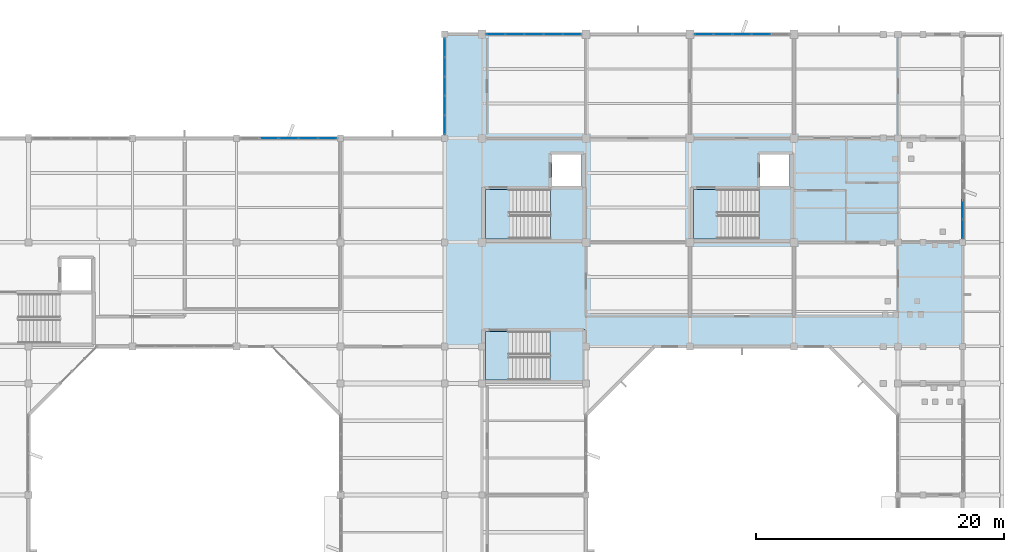
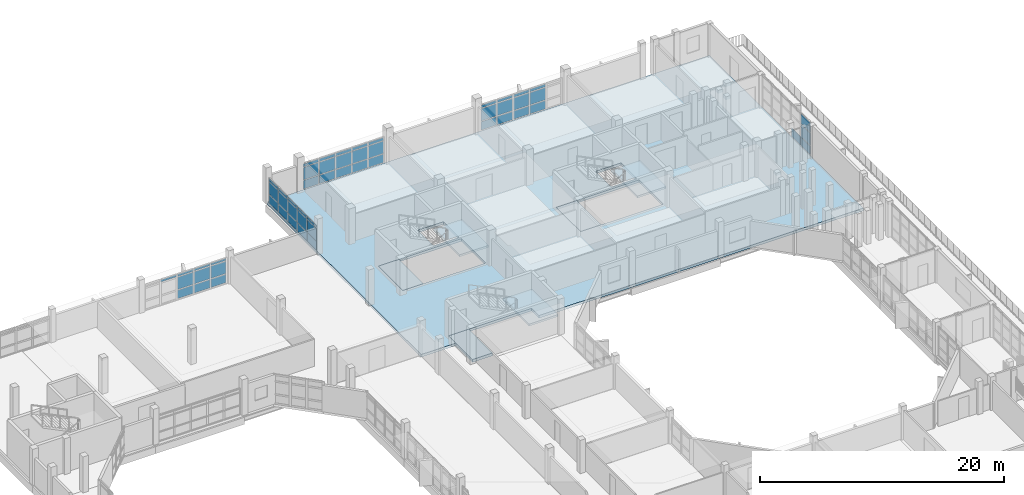
# One storey, part 28 of 51: 56 plates, 7 slabs, 8 elements without a shape of their own.
"""IFC4 building model written with IfcOpenShell, lengths in metres."""

from ifc_helpers import new_model, si_unit, direction, frame, origin, origin_2d, place, context, subcontext, project, spatial, polyline, rectangle, outline, extrude, material, layer, layer_set, type_object, element, aggregate, save


model = new_model("IFC4")

# Units and contexts
model_context = context("Model", 3, precision=1e-05, world=origin(), true_north=direction((0.0, 1.0)))
body_context = subcontext(model_context, "Body", "Model", "MODEL_VIEW")
ifc_project = project(units=[si_unit("LENGTHUNIT", "METRE"), si_unit("AREAUNIT", "SQUARE_METRE"), si_unit("VOLUMEUNIT", "CUBIC_METRE"), si_unit("PLANEANGLEUNIT", "RADIAN"), si_unit("MASSUNIT", "GRAM", prefix="KILO")], contexts=[model_context])

# Site, building, storey
site_placement = place(None, origin())
site = spatial("IfcSite", under=ifc_project, at=site_placement, CompositionType="ELEMENT")
building_placement = place(site_placement, origin())
building = spatial("IfcBuilding", under=site, at=building_placement, Name="Vanh Quang Courtyard School", CompositionType="ELEMENT")
storey_placement = place(building_placement, frame((0.0, 0.0, 11.39990234375)))
storey = spatial("IfcBuildingStorey", under=building, at=storey_placement, Name="L03", CompositionType="ELEMENT", Elevation=11.39990234375)

# Curtain wall, plates
ifc_material_1 = material(Name="Thermally broken aluminium unitised curtain wall", Category="aluminium")
curtain_wall_type_1 = type_object("IfcCurtainWallType", Name="CW-SYS-19", PredefinedType="NOTDEFINED", material=ifc_material_1)
curtain_wall_1_placement = place(storey_placement, origin())
curtain_wall_1 = element("IfcCurtainWall", 1, at=curtain_wall_1_placement, inside=storey, type_object=curtain_wall_type_1, Name="Curtain Wall CW-19 (L03)", PredefinedType="NOTDEFINED")
ifc_material_2 = material(Name="Low-E laminated double glazing", Category="glass")
ifc_layer_1 = layer(ifc_material_2, 0.028076171875)
ifc_layer_set_1 = layer_set([ifc_layer_1], Name="Low-E laminated double glazing")
plate_type_1 = type_object("IfcPlateType", Name="CW-PNL-28", PredefinedType="CURTAIN_PANEL", material=ifc_layer_set_1)
plate_1_placement = place(storey_placement, frame((60.22314453125, 88.199951171875, 2.2900390625), z_axis=(0.0, 0.0, 1.0), x_axis=(1.0, 0.0, 0.0)))
plate_1 = element("IfcPlate", 2, at=plate_1_placement, type_object=plate_type_1, Name="CW-19 panel 2.3", PredefinedType="CURTAIN_PANEL", context=body_context, shape_type="SweptSolid", body=[
    extrude(rectangle(XDim=1.496826171875, YDim=0.028076171875, at=origin_2d()), origin(), (0.0, 0.0, 1.0), 0.2099609375),
])
plate_2_placement = place(storey_placement, frame((61.800048828125, 88.199951171875, 0.080078125), z_axis=(0.0, 0.0, 1.0), x_axis=(1.0, 0.0, 0.0)))
plate_2 = element("IfcPlate", 3, at=plate_2_placement, type_object=plate_type_1, Name="CW-19 panel 3.1", PredefinedType="CURTAIN_PANEL", context=body_context, shape_type="SweptSolid", body=[
    extrude(rectangle(XDim=1.496826171875, YDim=0.028076171875, at=origin_2d()), origin(), (0.0, 0.0, 1.0), 0.830078125),
])
plate_3_placement = place(storey_placement, frame((61.800048828125, 88.199951171875, 0.990234375), z_axis=(0.0, 0.0, 1.0), x_axis=(1.0, 0.0, 0.0)))
plate_3 = element("IfcPlate", 4, at=plate_3_placement, type_object=plate_type_1, Name="CW-19 panel 3.2", PredefinedType="CURTAIN_PANEL", context=body_context, shape_type="SweptSolid", body=[
    extrude(rectangle(XDim=1.496826171875, YDim=0.028076171875, at=origin_2d()), origin(), (0.0, 0.0, 1.0), 1.219970703125),
])
plate_4_placement = place(storey_placement, frame((61.800048828125, 88.199951171875, 2.2900390625), z_axis=(0.0, 0.0, 1.0), x_axis=(1.0, 0.0, 0.0)))
plate_4 = element("IfcPlate", 5, at=plate_4_placement, type_object=plate_type_1, Name="CW-19 panel 3.3", PredefinedType="CURTAIN_PANEL", context=body_context, shape_type="SweptSolid", body=[
    extrude(rectangle(XDim=1.496826171875, YDim=0.028076171875, at=origin_2d()), origin(), (0.0, 0.0, 1.0), 0.2099609375),
])
plate_5_placement = place(storey_placement, frame((63.376708984375, 88.199951171875, 0.080078125), z_axis=(0.0, 0.0, 1.0), x_axis=(1.0, 0.0, 0.0)))
plate_5 = element("IfcPlate", 6, at=plate_5_placement, type_object=plate_type_1, Name="CW-19 panel 4.1", PredefinedType="CURTAIN_PANEL", context=body_context, shape_type="SweptSolid", body=[
    extrude(rectangle(XDim=1.496826171875, YDim=0.028076171875, at=origin_2d()), origin(), (0.0, 0.0, 1.0), 0.830078125),
])
plate_6_placement = place(storey_placement, frame((63.376708984375, 88.199951171875, 0.990234375), z_axis=(0.0, 0.0, 1.0), x_axis=(1.0, 0.0, 0.0)))
plate_6 = element("IfcPlate", 7, at=plate_6_placement, type_object=plate_type_1, Name="CW-19 panel 4.2", PredefinedType="CURTAIN_PANEL", context=body_context, shape_type="SweptSolid", body=[
    extrude(rectangle(XDim=1.496826171875, YDim=0.028076171875, at=origin_2d()), origin(), (0.0, 0.0, 1.0), 1.219970703125),
])
plate_7_placement = place(storey_placement, frame((63.376708984375, 88.199951171875, 2.2900390625), z_axis=(0.0, 0.0, 1.0), x_axis=(1.0, 0.0, 0.0)))
plate_7 = element("IfcPlate", 8, at=plate_7_placement, type_object=plate_type_1, Name="CW-19 panel 4.3", PredefinedType="CURTAIN_PANEL", context=body_context, shape_type="SweptSolid", body=[
    extrude(rectangle(XDim=1.496826171875, YDim=0.028076171875, at=origin_2d()), origin(), (0.0, 0.0, 1.0), 0.2099609375),
])
plate_8_placement = place(storey_placement, frame((64.93359375, 88.199951171875, 0.080078125), z_axis=(0.0, 0.0, 1.0), x_axis=(1.0, 0.0, 0.0)))
plate_8 = element("IfcPlate", 9, at=plate_8_placement, type_object=plate_type_1, Name="CW-19 panel 5.1", PredefinedType="CURTAIN_PANEL", context=body_context, shape_type="SweptSolid", body=[
    extrude(rectangle(XDim=1.456787109375, YDim=0.028076171875, at=origin_2d()), origin(), (0.0, 0.0, 1.0), 0.830078125),
])
plate_9_placement = place(storey_placement, frame((64.93359375, 88.199951171875, 0.990234375), z_axis=(0.0, 0.0, 1.0), x_axis=(1.0, 0.0, 0.0)))
plate_9 = element("IfcPlate", 10, at=plate_9_placement, type_object=plate_type_1, Name="CW-19 panel 5.2", PredefinedType="CURTAIN_PANEL", context=body_context, shape_type="SweptSolid", body=[
    extrude(rectangle(XDim=1.456787109375, YDim=0.028076171875, at=origin_2d()), origin(), (0.0, 0.0, 1.0), 1.219970703125),
])
plate_10_placement = place(storey_placement, frame((64.93359375, 88.199951171875, 2.2900390625), z_axis=(0.0, 0.0, 1.0), x_axis=(1.0, 0.0, 0.0)))
plate_10 = element("IfcPlate", 11, at=plate_10_placement, type_object=plate_type_1, Name="CW-19 panel 5.3", PredefinedType="CURTAIN_PANEL", context=body_context, shape_type="SweptSolid", body=[
    extrude(rectangle(XDim=1.456787109375, YDim=0.028076171875, at=origin_2d()), origin(), (0.0, 0.0, 1.0), 0.2099609375),
])
aggregate(curtain_wall_1, [plate_1, plate_2, plate_3, plate_4, plate_5, plate_6, plate_7, plate_8, plate_9, plate_10])

curtain_wall_type_2 = type_object("IfcCurtainWallType", Name="CW-SYS-21", PredefinedType="NOTDEFINED", material=ifc_material_1)
curtain_wall_2_placement = place(storey_placement, origin())
curtain_wall_2 = element("IfcCurtainWall", 12, at=curtain_wall_2_placement, inside=storey, type_object=curtain_wall_type_2, Name="Curtain Wall CW-21 (L03)", PredefinedType="NOTDEFINED")
plate_11_placement = place(storey_placement, frame((78.52392578125, 96.60009765625, 0.0703125), z_axis=(0.0, 0.0, 1.0), x_axis=(1.0, 0.0, 0.0)))
plate_11 = element("IfcPlate", 13, at=plate_11_placement, type_object=plate_type_1, Name="CW-21 panel 1.1", PredefinedType="CURTAIN_PANEL", context=body_context, shape_type="SweptSolid", body=[
    extrude(rectangle(XDim=1.44189453125, YDim=0.028076171875, at=origin_2d()), origin(), (0.0, 0.0, 1.0), 0.844970703125),
])
plate_12_placement = place(storey_placement, frame((78.52392578125, 96.60009765625, 0.985107421875), z_axis=(0.0, 0.0, 1.0), x_axis=(1.0, 0.0, 0.0)))
plate_12 = element("IfcPlate", 14, at=plate_12_placement, type_object=plate_type_1, Name="CW-21 panel 1.2", PredefinedType="CURTAIN_PANEL", context=body_context, shape_type="SweptSolid", body=[
    extrude(rectangle(XDim=1.44189453125, YDim=0.028076171875, at=origin_2d()), origin(), (0.0, 0.0, 1.0), 1.22998046875),
])
plate_13_placement = place(storey_placement, frame((78.52392578125, 96.60009765625, 2.28515625), z_axis=(0.0, 0.0, 1.0), x_axis=(1.0, 0.0, 0.0)))
plate_13 = element("IfcPlate", 15, at=plate_13_placement, type_object=plate_type_1, Name="CW-21 panel 1.3", PredefinedType="CURTAIN_PANEL", context=body_context, shape_type="SweptSolid", body=[
    extrude(rectangle(XDim=1.44189453125, YDim=0.028076171875, at=origin_2d()), origin(), (0.0, 0.0, 1.0), 0.284912109375),
])
plate_14_placement = place(storey_placement, frame((80.05322265625, 96.60009765625, 0.0703125), z_axis=(0.0, 0.0, 1.0), x_axis=(1.0, 0.0, 0.0)))
plate_14 = element("IfcPlate", 16, at=plate_14_placement, type_object=plate_type_1, Name="CW-21 panel 2.1", PredefinedType="CURTAIN_PANEL", context=body_context, shape_type="SweptSolid", body=[
    extrude(rectangle(XDim=1.476806640625, YDim=0.028076171875, at=origin_2d()), origin(), (0.0, 0.0, 1.0), 0.844970703125),
])
plate_15_placement = place(storey_placement, frame((80.05322265625, 96.60009765625, 0.985107421875), z_axis=(0.0, 0.0, 1.0), x_axis=(1.0, 0.0, 0.0)))
plate_15 = element("IfcPlate", 17, at=plate_15_placement, type_object=plate_type_1, Name="CW-21 panel 2.2", PredefinedType="CURTAIN_PANEL", context=body_context, shape_type="SweptSolid", body=[
    extrude(rectangle(XDim=1.476806640625, YDim=0.028076171875, at=origin_2d()), origin(), (0.0, 0.0, 1.0), 1.22998046875),
])
plate_16_placement = place(storey_placement, frame((80.05322265625, 96.60009765625, 2.28515625), z_axis=(0.0, 0.0, 1.0), x_axis=(1.0, 0.0, 0.0)))
plate_16 = element("IfcPlate", 18, at=plate_16_placement, type_object=plate_type_1, Name="CW-21 panel 2.3", PredefinedType="CURTAIN_PANEL", context=body_context, shape_type="SweptSolid", body=[
    extrude(rectangle(XDim=1.476806640625, YDim=0.028076171875, at=origin_2d()), origin(), (0.0, 0.0, 1.0), 0.284912109375),
])
plate_17_placement = place(storey_placement, frame((81.60009765625, 96.60009765625, 0.0703125), z_axis=(0.0, 0.0, 1.0), x_axis=(1.0, 0.0, 0.0)))
plate_17 = element("IfcPlate", 19, at=plate_17_placement, type_object=plate_type_1, Name="CW-21 panel 3.1", PredefinedType="CURTAIN_PANEL", context=body_context, shape_type="SweptSolid", body=[
    extrude(rectangle(XDim=1.476806640625, YDim=0.028076171875, at=origin_2d()), origin(), (0.0, 0.0, 1.0), 0.844970703125),
])
plate_18_placement = place(storey_placement, frame((81.60009765625, 96.60009765625, 0.985107421875), z_axis=(0.0, 0.0, 1.0), x_axis=(1.0, 0.0, 0.0)))
plate_18 = element("IfcPlate", 20, at=plate_18_placement, type_object=plate_type_1, Name="CW-21 panel 3.2", PredefinedType="CURTAIN_PANEL", context=body_context, shape_type="SweptSolid", body=[
    extrude(rectangle(XDim=1.476806640625, YDim=0.028076171875, at=origin_2d()), origin(), (0.0, 0.0, 1.0), 1.22998046875),
])
plate_19_placement = place(storey_placement, frame((81.60009765625, 96.60009765625, 2.28515625), z_axis=(0.0, 0.0, 1.0), x_axis=(1.0, 0.0, 0.0)))
plate_19 = element("IfcPlate", 21, at=plate_19_placement, type_object=plate_type_1, Name="CW-21 panel 3.3", PredefinedType="CURTAIN_PANEL", context=body_context, shape_type="SweptSolid", body=[
    extrude(rectangle(XDim=1.476806640625, YDim=0.028076171875, at=origin_2d()), origin(), (0.0, 0.0, 1.0), 0.284912109375),
])
plate_20_placement = place(storey_placement, frame((83.146728515625, 96.60009765625, 0.0703125), z_axis=(0.0, 0.0, 1.0), x_axis=(1.0, 0.0, 0.0)))
plate_20 = element("IfcPlate", 22, at=plate_20_placement, type_object=plate_type_1, Name="CW-21 panel 4.1", PredefinedType="CURTAIN_PANEL", context=body_context, shape_type="SweptSolid", body=[
    extrude(rectangle(XDim=1.476806640625, YDim=0.028076171875, at=origin_2d()), origin(), (0.0, 0.0, 1.0), 0.844970703125),
])
plate_21_placement = place(storey_placement, frame((83.146728515625, 96.60009765625, 0.985107421875), z_axis=(0.0, 0.0, 1.0), x_axis=(1.0, 0.0, 0.0)))
plate_21 = element("IfcPlate", 23, at=plate_21_placement, type_object=plate_type_1, Name="CW-21 panel 4.2", PredefinedType="CURTAIN_PANEL", context=body_context, shape_type="SweptSolid", body=[
    extrude(rectangle(XDim=1.476806640625, YDim=0.028076171875, at=origin_2d()), origin(), (0.0, 0.0, 1.0), 1.22998046875),
])
plate_22_placement = place(storey_placement, frame((83.146728515625, 96.60009765625, 2.28515625), z_axis=(0.0, 0.0, 1.0), x_axis=(1.0, 0.0, 0.0)))
plate_22 = element("IfcPlate", 24, at=plate_22_placement, type_object=plate_type_1, Name="CW-21 panel 4.3", PredefinedType="CURTAIN_PANEL", context=body_context, shape_type="SweptSolid", body=[
    extrude(rectangle(XDim=1.476806640625, YDim=0.028076171875, at=origin_2d()), origin(), (0.0, 0.0, 1.0), 0.284912109375),
])
plate_23_placement = place(storey_placement, frame((84.676025390625, 96.60009765625, 0.0703125), z_axis=(0.0, 0.0, 1.0), x_axis=(1.0, 0.0, 0.0)))
plate_23 = element("IfcPlate", 25, at=plate_23_placement, type_object=plate_type_1, Name="CW-21 panel 5.1", PredefinedType="CURTAIN_PANEL", context=body_context, shape_type="SweptSolid", body=[
    extrude(rectangle(XDim=1.44189453125, YDim=0.028076171875, at=origin_2d()), origin(), (0.0, 0.0, 1.0), 0.844970703125),
])
plate_24_placement = place(storey_placement, frame((84.676025390625, 96.60009765625, 0.985107421875), z_axis=(0.0, 0.0, 1.0), x_axis=(1.0, 0.0, 0.0)))
plate_24 = element("IfcPlate", 26, at=plate_24_placement, type_object=plate_type_1, Name="CW-21 panel 5.2", PredefinedType="CURTAIN_PANEL", context=body_context, shape_type="SweptSolid", body=[
    extrude(rectangle(XDim=1.44189453125, YDim=0.028076171875, at=origin_2d()), origin(), (0.0, 0.0, 1.0), 1.22998046875),
])
plate_25_placement = place(storey_placement, frame((84.676025390625, 96.60009765625, 2.28515625), z_axis=(0.0, 0.0, 1.0), x_axis=(1.0, 0.0, 0.0)))
plate_25 = element("IfcPlate", 27, at=plate_25_placement, type_object=plate_type_1, Name="CW-21 panel 5.3", PredefinedType="CURTAIN_PANEL", context=body_context, shape_type="SweptSolid", body=[
    extrude(rectangle(XDim=1.44189453125, YDim=0.028076171875, at=origin_2d()), origin(), (0.0, 0.0, 1.0), 0.284912109375),
])
aggregate(curtain_wall_2, [plate_11, plate_12, plate_13, plate_14, plate_15, plate_16, plate_17, plate_18, plate_19, plate_20, plate_21, plate_22, plate_23, plate_24, plate_25])

curtain_wall_type_3 = type_object("IfcCurtainWallType", Name="CW-SYS-58", PredefinedType="NOTDEFINED", material=ifc_material_1)
curtain_wall_3_placement = place(storey_placement, origin())
curtain_wall_3 = element("IfcCurtainWall", 28, at=curtain_wall_3_placement, inside=storey, type_object=curtain_wall_type_3, Name="Curtain Wall CW-58 (L03)", PredefinedType="NOTDEFINED")
plate_26_placement = place(storey_placement, frame((116.199951171875, 82.423095703125, 0.06005859375), z_axis=(0.0, 0.0, 1.0), x_axis=(0.0, -1.0, 0.0)))
plate_26 = element("IfcPlate", 29, at=plate_26_placement, type_object=plate_type_1, Name="CW-58 panel 4.1", PredefinedType="CURTAIN_PANEL", context=body_context, shape_type="SweptSolid", body=[
    extrude(rectangle(XDim=1.516845703125, YDim=0.028076171875, at=origin_2d()), origin(), (0.0, 0.0, 1.0), 0.860107421875),
])
plate_27_placement = place(storey_placement, frame((116.199951171875, 80.861328125, 0.06005859375), z_axis=(0.0, 0.0, 1.0), x_axis=(0.0, -1.0, 0.0)))
plate_27 = element("IfcPlate", 30, at=plate_27_placement, type_object=plate_type_1, Name="CW-58 panel 5.1", PredefinedType="CURTAIN_PANEL", context=body_context, shape_type="SweptSolid", body=[
    extrude(rectangle(XDim=1.48681640625, YDim=0.028076171875, at=origin_2d()), origin(), (0.0, 0.0, 1.0), 0.860107421875),
])
plate_28_placement = place(storey_placement, frame((116.199951171875, 80.861328125, 0.97998046875), z_axis=(0.0, 0.0, 1.0), x_axis=(0.0, -1.0, 0.0)))
plate_28 = element("IfcPlate", 31, at=plate_28_placement, type_object=plate_type_1, Name="CW-58 panel 5.2", PredefinedType="CURTAIN_PANEL", context=body_context, shape_type="SweptSolid", body=[
    extrude(rectangle(XDim=1.48681640625, YDim=0.028076171875, at=origin_2d()), origin(), (0.0, 0.0, 1.0), 1.239990234375),
])
plate_29_placement = place(storey_placement, frame((116.199951171875, 80.861328125, 2.280029296875), z_axis=(0.0, 0.0, 1.0), x_axis=(0.0, -1.0, 0.0)))
plate_29 = element("IfcPlate", 32, at=plate_29_placement, type_object=plate_type_1, Name="CW-58 panel 5.3", PredefinedType="CURTAIN_PANEL", context=body_context, shape_type="SweptSolid", body=[
    extrude(rectangle(XDim=1.48681640625, YDim=0.028076171875, at=origin_2d()), origin(), (0.0, 0.0, 1.0), 1.0),
])
aggregate(curtain_wall_3, [plate_26, plate_27, plate_28, plate_29])

curtain_wall_type_4 = type_object("IfcCurtainWallType", Name="CW-SYS-24", PredefinedType="NOTDEFINED", material=ifc_material_1)
curtain_wall_4_placement = place(storey_placement, origin())
curtain_wall_4 = element("IfcCurtainWall", 33, at=curtain_wall_4_placement, inside=storey, type_object=curtain_wall_type_4, Name="Curtain Wall CW-24 (L03)", PredefinedType="NOTDEFINED")
ifc_layer_2 = layer(ifc_material_2, 0.031982421875)
ifc_layer_set_2 = layer_set([ifc_layer_2], Name="Low-E laminated double glazing")
plate_type_2 = type_object("IfcPlateType", Name="CW-PNL-32", PredefinedType="CURTAIN_PANEL", material=ifc_layer_set_2)
plate_30_placement = place(storey_placement, frame((74.39990234375, 89.281494140625, 0.06005859375), z_axis=(0.0, 0.0, 1.0), x_axis=(0.0, 1.0, 0.0)))
plate_30 = element("IfcPlate", 34, at=plate_30_placement, type_object=plate_type_2, Name="CW-24 panel 1.1", PredefinedType="CURTAIN_PANEL", context=body_context, shape_type="SweptSolid", body=[
    extrude(rectangle(XDim=1.476806640625, YDim=0.031982421875, at=origin_2d()), origin(), (0.0, 0.0, 1.0), 0.860107421875),
])
plate_31_placement = place(storey_placement, frame((74.39990234375, 89.281494140625, 0.97998046875), z_axis=(0.0, 0.0, 1.0), x_axis=(0.0, 1.0, 0.0)))
plate_31 = element("IfcPlate", 35, at=plate_31_placement, type_object=plate_type_2, Name="CW-24 panel 1.2", PredefinedType="CURTAIN_PANEL", context=body_context, shape_type="SweptSolid", body=[
    extrude(rectangle(XDim=1.476806640625, YDim=0.031982421875, at=origin_2d()), origin(), (0.0, 0.0, 1.0), 1.239990234375),
])
plate_32_placement = place(storey_placement, frame((74.39990234375, 89.281494140625, 2.2802734375), z_axis=(0.0, 0.0, 1.0), x_axis=(0.0, 1.0, 0.0)))
plate_32 = element("IfcPlate", 36, at=plate_32_placement, type_object=plate_type_2, Name="CW-24 panel 1.3", PredefinedType="CURTAIN_PANEL", context=body_context, shape_type="SweptSolid", body=[
    extrude(rectangle(XDim=1.476806640625, YDim=0.031982421875, at=origin_2d()), origin(), (0.0, 0.0, 1.0), 0.239990234375),
])
plate_33_placement = place(storey_placement, frame((74.39990234375, 90.833251953125, 0.06005859375), z_axis=(0.0, 0.0, 1.0), x_axis=(0.0, 1.0, 0.0)))
plate_33 = element("IfcPlate", 37, at=plate_33_placement, type_object=plate_type_2, Name="CW-24 panel 2.1", PredefinedType="CURTAIN_PANEL", context=body_context, shape_type="SweptSolid", body=[
    extrude(rectangle(XDim=1.5068359375, YDim=0.031982421875, at=origin_2d()), origin(), (0.0, 0.0, 1.0), 0.860107421875),
])
plate_34_placement = place(storey_placement, frame((74.39990234375, 90.833251953125, 0.97998046875), z_axis=(0.0, 0.0, 1.0), x_axis=(0.0, 1.0, 0.0)))
plate_34 = element("IfcPlate", 38, at=plate_34_placement, type_object=plate_type_2, Name="CW-24 panel 2.2", PredefinedType="CURTAIN_PANEL", context=body_context, shape_type="SweptSolid", body=[
    extrude(rectangle(XDim=1.5068359375, YDim=0.031982421875, at=origin_2d()), origin(), (0.0, 0.0, 1.0), 1.239990234375),
])
plate_35_placement = place(storey_placement, frame((74.39990234375, 90.833251953125, 2.2802734375), z_axis=(0.0, 0.0, 1.0), x_axis=(0.0, 1.0, 0.0)))
plate_35 = element("IfcPlate", 39, at=plate_35_placement, type_object=plate_type_2, Name="CW-24 panel 2.3", PredefinedType="CURTAIN_PANEL", context=body_context, shape_type="SweptSolid", body=[
    extrude(rectangle(XDim=1.5068359375, YDim=0.031982421875, at=origin_2d()), origin(), (0.0, 0.0, 1.0), 0.239990234375),
])
plate_36_placement = place(storey_placement, frame((74.39990234375, 92.39990234375, 0.06005859375), z_axis=(0.0, 0.0, 1.0), x_axis=(0.0, 1.0, 0.0)))
plate_36 = element("IfcPlate", 40, at=plate_36_placement, type_object=plate_type_2, Name="CW-24 panel 3.1", PredefinedType="CURTAIN_PANEL", context=body_context, shape_type="SweptSolid", body=[
    extrude(rectangle(XDim=1.5068359375, YDim=0.031982421875, at=origin_2d()), origin(), (0.0, 0.0, 1.0), 0.860107421875),
])
plate_37_placement = place(storey_placement, frame((74.39990234375, 92.39990234375, 0.97998046875), z_axis=(0.0, 0.0, 1.0), x_axis=(0.0, 1.0, 0.0)))
plate_37 = element("IfcPlate", 41, at=plate_37_placement, type_object=plate_type_2, Name="CW-24 panel 3.2", PredefinedType="CURTAIN_PANEL", context=body_context, shape_type="SweptSolid", body=[
    extrude(rectangle(XDim=1.5068359375, YDim=0.031982421875, at=origin_2d()), origin(), (0.0, 0.0, 1.0), 1.239990234375),
])
plate_38_placement = place(storey_placement, frame((74.39990234375, 92.39990234375, 2.2802734375), z_axis=(0.0, 0.0, 1.0), x_axis=(0.0, 1.0, 0.0)))
plate_38 = element("IfcPlate", 42, at=plate_38_placement, type_object=plate_type_2, Name="CW-24 panel 3.3", PredefinedType="CURTAIN_PANEL", context=body_context, shape_type="SweptSolid", body=[
    extrude(rectangle(XDim=1.5068359375, YDim=0.031982421875, at=origin_2d()), origin(), (0.0, 0.0, 1.0), 0.239990234375),
])
plate_39_placement = place(storey_placement, frame((74.39990234375, 93.966796875, 0.06005859375), z_axis=(0.0, 0.0, 1.0), x_axis=(0.0, 1.0, 0.0)))
plate_39 = element("IfcPlate", 43, at=plate_39_placement, type_object=plate_type_2, Name="CW-24 panel 4.1", PredefinedType="CURTAIN_PANEL", context=body_context, shape_type="SweptSolid", body=[
    extrude(rectangle(XDim=1.5068359375, YDim=0.031982421875, at=origin_2d()), origin(), (0.0, 0.0, 1.0), 0.860107421875),
])
plate_40_placement = place(storey_placement, frame((74.39990234375, 93.966796875, 0.97998046875), z_axis=(0.0, 0.0, 1.0), x_axis=(0.0, 1.0, 0.0)))
plate_40 = element("IfcPlate", 44, at=plate_40_placement, type_object=plate_type_2, Name="CW-24 panel 4.2", PredefinedType="CURTAIN_PANEL", context=body_context, shape_type="SweptSolid", body=[
    extrude(rectangle(XDim=1.5068359375, YDim=0.031982421875, at=origin_2d()), origin(), (0.0, 0.0, 1.0), 1.239990234375),
])
plate_41_placement = place(storey_placement, frame((74.39990234375, 93.966796875, 2.2802734375), z_axis=(0.0, 0.0, 1.0), x_axis=(0.0, 1.0, 0.0)))
plate_41 = element("IfcPlate", 45, at=plate_41_placement, type_object=plate_type_2, Name="CW-24 panel 4.3", PredefinedType="CURTAIN_PANEL", context=body_context, shape_type="SweptSolid", body=[
    extrude(rectangle(XDim=1.5068359375, YDim=0.031982421875, at=origin_2d()), origin(), (0.0, 0.0, 1.0), 0.239990234375),
])
plate_42_placement = place(storey_placement, frame((74.39990234375, 95.5185546875, 0.06005859375), z_axis=(0.0, 0.0, 1.0), x_axis=(0.0, 1.0, 0.0)))
plate_42 = element("IfcPlate", 46, at=plate_42_placement, type_object=plate_type_2, Name="CW-24 panel 5.1", PredefinedType="CURTAIN_PANEL", context=body_context, shape_type="SweptSolid", body=[
    extrude(rectangle(XDim=1.476806640625, YDim=0.031982421875, at=origin_2d()), origin(), (0.0, 0.0, 1.0), 0.860107421875),
])
plate_43_placement = place(storey_placement, frame((74.39990234375, 95.5185546875, 0.97998046875), z_axis=(0.0, 0.0, 1.0), x_axis=(0.0, 1.0, 0.0)))
plate_43 = element("IfcPlate", 47, at=plate_43_placement, type_object=plate_type_2, Name="CW-24 panel 5.2", PredefinedType="CURTAIN_PANEL", context=body_context, shape_type="SweptSolid", body=[
    extrude(rectangle(XDim=1.476806640625, YDim=0.031982421875, at=origin_2d()), origin(), (0.0, 0.0, 1.0), 1.239990234375),
])
plate_44_placement = place(storey_placement, frame((74.39990234375, 95.5185546875, 2.2802734375), z_axis=(0.0, 0.0, 1.0), x_axis=(0.0, 1.0, 0.0)))
plate_44 = element("IfcPlate", 48, at=plate_44_placement, type_object=plate_type_2, Name="CW-24 panel 5.3", PredefinedType="CURTAIN_PANEL", context=body_context, shape_type="SweptSolid", body=[
    extrude(rectangle(XDim=1.476806640625, YDim=0.031982421875, at=origin_2d()), origin(), (0.0, 0.0, 1.0), 0.239990234375),
])
aggregate(curtain_wall_4, [plate_30, plate_31, plate_32, plate_33, plate_34, plate_35, plate_36, plate_37, plate_38, plate_39, plate_40, plate_41, plate_42, plate_43, plate_44])

curtain_wall_5_placement = place(storey_placement, origin())
curtain_wall_5 = element("IfcCurtainWall", 49, at=curtain_wall_5_placement, inside=storey, type_object=curtain_wall_type_2, Name="Curtain Wall CW-21 (L03)", PredefinedType="NOTDEFINED")
plate_45_placement = place(storey_placement, frame((95.326416015625, 96.60009765625, 0.080078125), z_axis=(0.0, 0.0, 1.0), x_axis=(1.0, 0.0, 0.0)))
plate_45 = element("IfcPlate", 50, at=plate_45_placement, type_object=plate_type_2, Name="CW-21 panel 1.1", PredefinedType="CURTAIN_PANEL", context=body_context, shape_type="SweptSolid", body=[
    extrude(rectangle(XDim=1.4267578125, YDim=0.031982421875, at=origin_2d()), origin(), (0.0, 0.0, 1.0), 0.830078125),
])
plate_46_placement = place(storey_placement, frame((95.326416015625, 96.60009765625, 0.990234375), z_axis=(0.0, 0.0, 1.0), x_axis=(1.0, 0.0, 0.0)))
plate_46 = element("IfcPlate", 51, at=plate_46_placement, type_object=plate_type_2, Name="CW-21 panel 1.2", PredefinedType="CURTAIN_PANEL", context=body_context, shape_type="SweptSolid", body=[
    extrude(rectangle(XDim=1.4267578125, YDim=0.031982421875, at=origin_2d()), origin(), (0.0, 0.0, 1.0), 1.219970703125),
])
plate_47_placement = place(storey_placement, frame((95.326416015625, 96.60009765625, 2.2900390625), z_axis=(0.0, 0.0, 1.0), x_axis=(1.0, 0.0, 0.0)))
plate_47 = element("IfcPlate", 52, at=plate_47_placement, type_object=plate_type_2, Name="CW-21 panel 1.3", PredefinedType="CURTAIN_PANEL", context=body_context, shape_type="SweptSolid", body=[
    extrude(rectangle(XDim=1.4267578125, YDim=0.031982421875, at=origin_2d()), origin(), (0.0, 0.0, 1.0), 0.27001953125),
])
plate_48_placement = place(storey_placement, frame((96.853271484375, 96.60009765625, 0.080078125), z_axis=(0.0, 0.0, 1.0), x_axis=(1.0, 0.0, 0.0)))
plate_48 = element("IfcPlate", 53, at=plate_48_placement, type_object=plate_type_2, Name="CW-21 panel 2.1", PredefinedType="CURTAIN_PANEL", context=body_context, shape_type="SweptSolid", body=[
    extrude(rectangle(XDim=1.466796875, YDim=0.031982421875, at=origin_2d()), origin(), (0.0, 0.0, 1.0), 0.830078125),
])
plate_49_placement = place(storey_placement, frame((96.853271484375, 96.60009765625, 0.990234375), z_axis=(0.0, 0.0, 1.0), x_axis=(1.0, 0.0, 0.0)))
plate_49 = element("IfcPlate", 54, at=plate_49_placement, type_object=plate_type_2, Name="CW-21 panel 2.2", PredefinedType="CURTAIN_PANEL", context=body_context, shape_type="SweptSolid", body=[
    extrude(rectangle(XDim=1.466796875, YDim=0.031982421875, at=origin_2d()), origin(), (0.0, 0.0, 1.0), 1.219970703125),
])
plate_50_placement = place(storey_placement, frame((96.853271484375, 96.60009765625, 2.2900390625), z_axis=(0.0, 0.0, 1.0), x_axis=(1.0, 0.0, 0.0)))
plate_50 = element("IfcPlate", 55, at=plate_50_placement, type_object=plate_type_2, Name="CW-21 panel 2.3", PredefinedType="CURTAIN_PANEL", context=body_context, shape_type="SweptSolid", body=[
    extrude(rectangle(XDim=1.466796875, YDim=0.031982421875, at=origin_2d()), origin(), (0.0, 0.0, 1.0), 0.27001953125),
])
plate_51_placement = place(storey_placement, frame((98.39990234375, 96.60009765625, 0.080078125), z_axis=(0.0, 0.0, 1.0), x_axis=(1.0, 0.0, 0.0)))
plate_51 = element("IfcPlate", 56, at=plate_51_placement, type_object=plate_type_2, Name="CW-21 panel 3.1", PredefinedType="CURTAIN_PANEL", context=body_context, shape_type="SweptSolid", body=[
    extrude(rectangle(XDim=1.466796875, YDim=0.031982421875, at=origin_2d()), origin(), (0.0, 0.0, 1.0), 0.830078125),
])
plate_52_placement = place(storey_placement, frame((98.39990234375, 96.60009765625, 0.990234375), z_axis=(0.0, 0.0, 1.0), x_axis=(1.0, 0.0, 0.0)))
plate_52 = element("IfcPlate", 57, at=plate_52_placement, type_object=plate_type_2, Name="CW-21 panel 3.2", PredefinedType="CURTAIN_PANEL", context=body_context, shape_type="SweptSolid", body=[
    extrude(rectangle(XDim=1.466796875, YDim=0.031982421875, at=origin_2d()), origin(), (0.0, 0.0, 1.0), 1.219970703125),
])
plate_53_placement = place(storey_placement, frame((98.39990234375, 96.60009765625, 2.2900390625), z_axis=(0.0, 0.0, 1.0), x_axis=(1.0, 0.0, 0.0)))
plate_53 = element("IfcPlate", 58, at=plate_53_placement, type_object=plate_type_2, Name="CW-21 panel 3.3", PredefinedType="CURTAIN_PANEL", context=body_context, shape_type="SweptSolid", body=[
    extrude(rectangle(XDim=1.466796875, YDim=0.031982421875, at=origin_2d()), origin(), (0.0, 0.0, 1.0), 0.27001953125),
])
plate_54_placement = place(storey_placement, frame((99.94677734375, 96.60009765625, 0.080078125), z_axis=(0.0, 0.0, 1.0), x_axis=(1.0, 0.0, 0.0)))
plate_54 = element("IfcPlate", 59, at=plate_54_placement, type_object=plate_type_2, Name="CW-21 panel 4.1", PredefinedType="CURTAIN_PANEL", context=body_context, shape_type="SweptSolid", body=[
    extrude(rectangle(XDim=1.466796875, YDim=0.031982421875, at=origin_2d()), origin(), (0.0, 0.0, 1.0), 0.830078125),
])
plate_55_placement = place(storey_placement, frame((99.94677734375, 96.60009765625, 0.990234375), z_axis=(0.0, 0.0, 1.0), x_axis=(1.0, 0.0, 0.0)))
plate_55 = element("IfcPlate", 60, at=plate_55_placement, type_object=plate_type_2, Name="CW-21 panel 4.2", PredefinedType="CURTAIN_PANEL", context=body_context, shape_type="SweptSolid", body=[
    extrude(rectangle(XDim=1.466796875, YDim=0.031982421875, at=origin_2d()), origin(), (0.0, 0.0, 1.0), 1.219970703125),
])
plate_56_placement = place(storey_placement, frame((99.94677734375, 96.60009765625, 2.2900390625), z_axis=(0.0, 0.0, 1.0), x_axis=(1.0, 0.0, 0.0)))
plate_56 = element("IfcPlate", 61, at=plate_56_placement, type_object=plate_type_2, Name="CW-21 panel 4.3", PredefinedType="CURTAIN_PANEL", context=body_context, shape_type="SweptSolid", body=[
    extrude(rectangle(XDim=1.466796875, YDim=0.031982421875, at=origin_2d()), origin(), (0.0, 0.0, 1.0), 0.27001953125),
])
aggregate(curtain_wall_5, [plate_45, plate_46, plate_47, plate_48, plate_49, plate_50, plate_51, plate_52, plate_53, plate_54, plate_55, plate_56])

# Slabs
ifc_material_3 = material(Name="Concrete C30/37", Category="concrete")
ifc_layer_3 = layer(ifc_material_3, 0.260009765625)
ifc_layer_set_3 = layer_set([ifc_layer_3], Name="Concrete C30/37")
slab_type_1 = type_object("IfcSlabType", Name="SLB-FLR-260", PredefinedType="FLOOR", material=ifc_layer_set_3)
slab_1_placement = place(storey_placement, frame((0.0, 0.0, -0.260009765625)))
element("IfcSlab", 62, at=slab_1_placement, inside=storey, type_object=slab_type_1, Name="Slab SF-03 (L03)", PredefinedType="FLOOR", context=body_context, shape_type="SweptSolid", body=[
    extrude(outline(polyline([(116.199951171875, 96.60009765625), (74.39990234375, 96.60009765625), (74.39990234375, 71.39990234375), (77.679931640625, 71.39990234375), (77.679931640625, 72.60009765625), (85.52001953125, 72.60009765625), (85.52001953125, 71.39990234375), (116.199951171875, 71.39990234375), (116.199951171875, 96.60009765625)]), holes=[polyline([(85.52001953125, 80.080078125), (77.679931640625, 80.080078125), (77.679931640625, 84.080078125), (85.52001953125, 84.080078125), (85.52001953125, 80.080078125)]), polyline([(85.449951171875, 84.360107421875), (83.050048828125, 84.360107421875), (83.050048828125, 86.909912109375), (85.449951171875, 86.909912109375), (85.449951171875, 84.360107421875)]), polyline([(102.320068359375, 80.080078125), (94.47998046875, 80.080078125), (94.47998046875, 84.080078125), (102.320068359375, 84.080078125), (102.320068359375, 80.080078125)]), polyline([(102.25, 84.360107421875), (99.85009765625, 84.360107421875), (99.85009765625, 86.909912109375), (102.25, 86.909912109375), (102.25, 84.360107421875)])]), origin(), (0.0, 0.0, 1.0), 0.260009765625),
])
ifc_layer_4 = layer(ifc_material_3, 0.280029296875)
ifc_layer_set_4 = layer_set([ifc_layer_4], Name="Concrete C30/37")
slab_type_2 = type_object("IfcSlabType", Name="SLB-FLR-280", PredefinedType="FLOOR", material=ifc_layer_set_4)
slab_2_placement = place(storey_placement, frame((0.0, 0.0, -0.27978515625)))
element("IfcSlab", 63, at=slab_2_placement, inside=storey, type_object=slab_type_2, Name="Slab SF-02 (L03)", PredefinedType="FLOOR", context=body_context, shape_type="SweptSolid", body=[
    extrude(outline(polyline([(79.6298828125, 80.080078125), (77.679931640625, 80.080078125), (77.679931640625, 84.080078125), (79.6298828125, 84.080078125), (79.6298828125, 80.080078125)])), origin(), (0.0, 0.0, 1.0), 0.27978515625),
])
slab_3_placement = place(storey_placement, frame((0.0, 0.0, -0.27978515625)))
element("IfcSlab", 64, at=slab_3_placement, inside=storey, type_object=slab_type_2, Name="Slab SF-02 (L03)", PredefinedType="FLOOR", context=body_context, shape_type="SweptSolid", body=[
    extrude(outline(polyline([(96.429931640625, 80.080078125), (94.47998046875, 80.080078125), (94.47998046875, 84.080078125), (96.429931640625, 84.080078125), (96.429931640625, 80.080078125)])), origin(), (0.0, 0.0, 1.0), 0.27978515625),
])
slab_4_placement = place(storey_placement, frame((0.0, 0.0, -0.27978515625)))
element("IfcSlab", 65, at=slab_4_placement, inside=storey, type_object=slab_type_2, Name="Slab SF-02 (L03)", PredefinedType="FLOOR", context=body_context, shape_type="SweptSolid", body=[
    extrude(outline(polyline([(79.590087890625, 68.679931640625), (77.679931640625, 68.679931640625), (77.679931640625, 71.39990234375), (77.679931640625, 72.60009765625), (79.590087890625, 72.60009765625), (79.590087890625, 68.679931640625)])), origin(), (0.0, 0.0, 1.0), 0.27978515625),
])

# Stair, slab
stair_type_1 = type_object("IfcStairType", Name="STR-CORE-1920", PredefinedType="HALF_TURN_STAIR", material=ifc_material_3)
stair_1_placement = place(storey_placement, origin())
stair_1 = element("IfcStair", 66, at=stair_1_placement, inside=storey, type_object=stair_type_1, Name="L03 ST-01", PredefinedType="HALF_TURN_STAIR")
ifc_layer_5 = layer(ifc_material_3, 0.199951171875)
ifc_layer_set_5 = layer_set([ifc_layer_5], Name="Concrete C30/37")
slab_type_3 = type_object("IfcSlabType", Name="SLB-LND-200", PredefinedType="LANDING", material=ifc_layer_set_5)
slab_5_placement = place(storey_placement, frame((0.0, 0.0, 1.60009765625)))
slab_5 = element("IfcSlab", 67, at=slab_5_placement, type_object=slab_type_3, Name="ST-01 landing 1", PredefinedType="LANDING", context=body_context, shape_type="SweptSolid", body=[
    extrude(outline(polyline([(82.955078125, 79.919921875), (85.679931640625, 79.919921875), (85.679931640625, 84.239990234375), (82.955078125, 84.239990234375), (82.955078125, 79.919921875)])), origin(), (0.0, 0.0, 1.0), 0.199951171875),
])
aggregate(stair_1, [slab_5])

stair_2_placement = place(storey_placement, origin())
stair_2 = element("IfcStair", 68, at=stair_2_placement, inside=storey, type_object=stair_type_1, Name="L03 ST-02", PredefinedType="HALF_TURN_STAIR")
slab_6_placement = place(storey_placement, frame((0.0, 0.0, 1.60009765625)))
slab_6 = element("IfcSlab", 69, at=slab_6_placement, type_object=slab_type_3, Name="ST-02 landing 1", PredefinedType="LANDING", context=body_context, shape_type="SweptSolid", body=[
    extrude(outline(polyline([(99.7548828125, 79.919921875), (102.47998046875, 79.919921875), (102.47998046875, 84.239990234375), (99.7548828125, 84.239990234375), (99.7548828125, 79.919921875)])), origin(), (0.0, 0.0, 1.0), 0.199951171875),
])
aggregate(stair_2, [slab_6])

stair_type_2 = type_object("IfcStairType", Name="STR-CORE-1880", PredefinedType="HALF_TURN_STAIR", material=ifc_material_3)
stair_3_placement = place(storey_placement, origin())
stair_3 = element("IfcStair", 70, at=stair_3_placement, inside=storey, type_object=stair_type_2, Name="L03 ST-05", PredefinedType="HALF_TURN_STAIR")
slab_7_placement = place(storey_placement, frame((0.0, 0.0, 1.60009765625)))
slab_7 = element("IfcSlab", 71, at=slab_7_placement, type_object=slab_type_3, Name="ST-05 landing 1", PredefinedType="LANDING", context=body_context, shape_type="SweptSolid", body=[
    extrude(outline(polyline([(82.9150390625, 68.52001953125), (85.679931640625, 68.52001953125), (85.679931640625, 72.760009765625), (82.9150390625, 72.760009765625), (82.9150390625, 68.52001953125)])), origin(), (0.0, 0.0, 1.0), 0.199951171875),
])
aggregate(stair_3, [slab_7])

save(model, "model.ifc")
